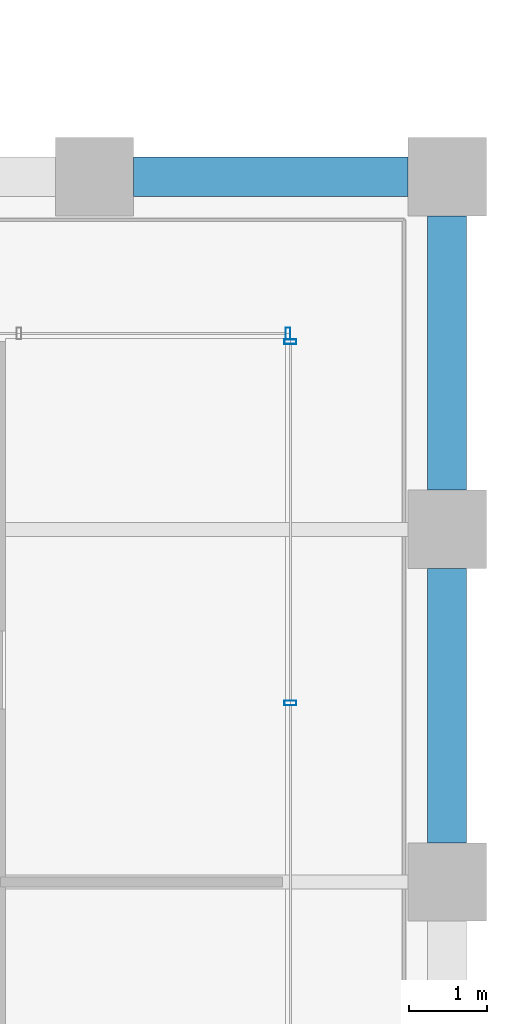
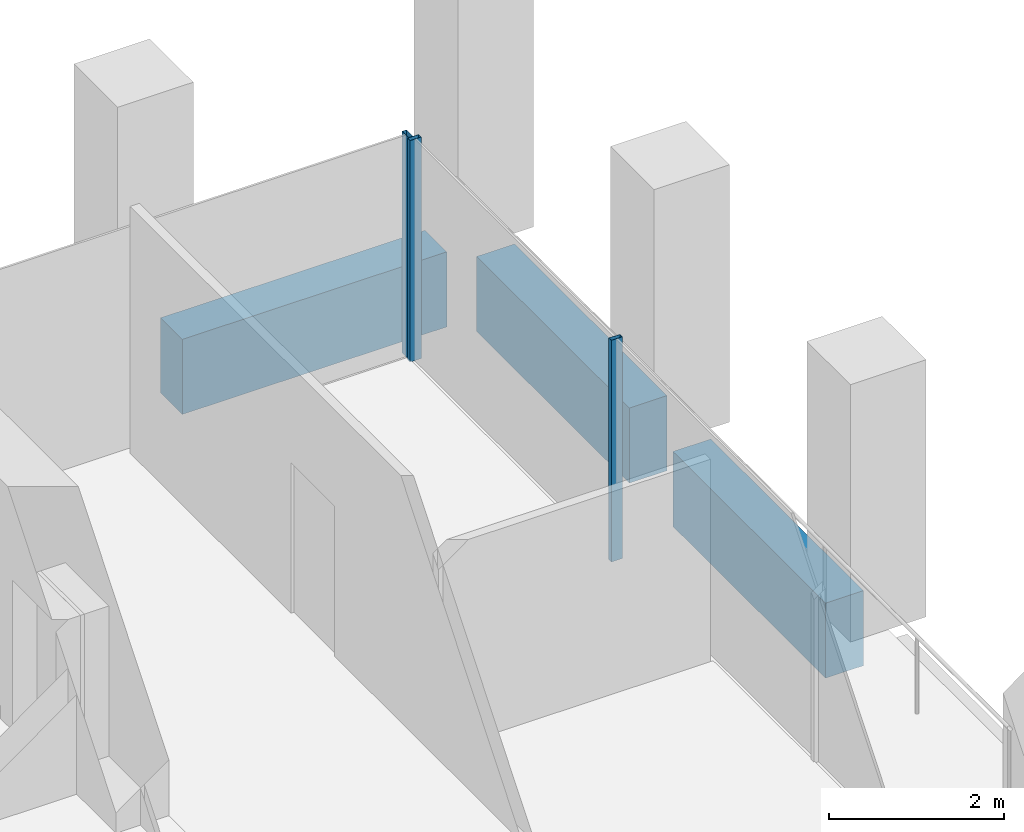
# One storey, part 38 of 46: 3 beams, 3 members, 2 elements without a shape of their own.
"""IFC4 building model written with IfcOpenShell, lengths in metres."""

from ifc_helpers import new_model, si_unit, direction, frame, origin, origin_2d, place, context, subcontext, project, spatial, rectangle, hollow_rectangle, extrude, material, material_profile, profile_set, type_object, element, aggregate, save


model = new_model("IFC4")

# Units and contexts
model_context = context("Model", 3, precision=1e-05, world=origin(), true_north=direction((0.0, 1.0)))
body_context = subcontext(model_context, "Body", "Model", "MODEL_VIEW")
ifc_project = project(units=[si_unit("LENGTHUNIT", "METRE"), si_unit("AREAUNIT", "SQUARE_METRE"), si_unit("VOLUMEUNIT", "CUBIC_METRE"), si_unit("PLANEANGLEUNIT", "RADIAN"), si_unit("MASSUNIT", "GRAM", prefix="KILO")], contexts=[model_context])

# Site, building, storey
site_placement = place(None, origin())
site = spatial("IfcSite", under=ifc_project, at=site_placement, CompositionType="ELEMENT")
building_placement = place(site_placement, origin())
building = spatial("IfcBuilding", under=site, at=building_placement, Name="Altepetl Exchange Towers", CompositionType="ELEMENT")
storey_placement = place(building_placement, frame((0.0, 0.0, 128.0)))
storey = spatial("IfcBuildingStorey", under=building, at=storey_placement, Name="L31", CompositionType="ELEMENT", Elevation=128.0)

# Curtain wall, members
ifc_material_1 = material(Name="Aluminium 6063-T6 glazing", Category="aluminium")
curtain_wall_type = type_object("IfcCurtainWallType", Name="Loggia glazing system", PredefinedType="NOTDEFINED", material=ifc_material_1)
curtain_wall_1_placement = place(storey_placement, origin())
curtain_wall_1 = element("IfcCurtainWall", 1, at=curtain_wall_1_placement, inside=storey, type_object=curtain_wall_type, Name="CW1 run", PredefinedType="NOTDEFINED")
ifc_material_2 = material(Name="Aluminium 6063-T6", Category="aluminium")
ifc_material_profile_1 = material_profile(ifc_material_2, hollow_rectangle(XDim=0.06005859375, YDim=0.14990234375, WallThickness=0.0029296875, at=origin_2d()), Name="Mullion 60x150 aluminium")
ifc_profile_set_1 = profile_set([ifc_material_profile_1], Name="Aluminium 6063-T6")
member_type = type_object("IfcMemberType", Name="Mullion 60x150 aluminium", PredefinedType="MULLION", material=ifc_profile_set_1)
member_1_placement = place(storey_placement, frame((124.0, 42.783447265625, 0.0), z_axis=(0.0, 0.0, 1.0), x_axis=(0.0, 1.0, 0.0)))
member_1 = element("IfcMember", 2, at=member_1_placement, type_object=member_type, Name="MU1 mullion", PredefinedType="MULLION", context=body_context, shape_type="SweptSolid", body=[
    extrude(hollow_rectangle(XDim=0.06005859375, YDim=0.14990234375, WallThickness=0.0029296875, at=origin_2d()), origin(), (0.0, 0.0, 1.0), 3.10009765625),
])
member_2_placement = place(storey_placement, frame((124.0, 47.39501953125, 0.0), z_axis=(0.0, 0.0, 1.0), x_axis=(0.0, 1.0, 0.0)))
member_2 = element("IfcMember", 3, at=member_2_placement, type_object=member_type, Name="MU1 mullion", PredefinedType="MULLION", context=body_context, shape_type="SweptSolid", body=[
    extrude(hollow_rectangle(XDim=0.06005859375, YDim=0.14990234375, WallThickness=0.0029296875, at=origin_2d()), origin(), (0.0, 0.0, 1.0), 3.10009765625),
])
aggregate(curtain_wall_1, [member_1, member_2])

# Curtain wall, member
curtain_wall_2_placement = place(storey_placement, origin())
curtain_wall_2 = element("IfcCurtainWall", 4, at=curtain_wall_2_placement, inside=storey, type_object=curtain_wall_type, Name="CW1 run", PredefinedType="NOTDEFINED")
member_3_placement = place(storey_placement, frame((123.969970703125, 47.5, 0.0), z_axis=(0.0, 0.0, 1.0), x_axis=(-1.0, 0.0, 0.0)))
member_3 = element("IfcMember", 5, at=member_3_placement, type_object=member_type, Name="MU1 mullion", PredefinedType="MULLION", context=body_context, shape_type="SweptSolid", body=[
    extrude(hollow_rectangle(XDim=0.06005859375, YDim=0.14990234375, WallThickness=0.0029296875, at=origin_2d()), origin(), (0.0, 0.0, 1.0), 3.10009765625),
])
aggregate(curtain_wall_2, [member_3])

# Beams
ifc_material_3 = material(Name="Concrete C50/60 precast with cantera amarilla facing", Category="concrete")
ifc_material_profile_2 = material_profile(ifc_material_3, rectangle(XDim=0.5, YDim=1.050048828125, at=origin_2d()), Name="500 x 1050")
ifc_profile_set_2 = profile_set([ifc_material_profile_2], Name="Concrete C50/60 precast with cantera amarilla facing")
beam_type_1 = type_object("IfcBeamType", Name="Spandrel beam 500x1050 cantera amarilla", PredefinedType="SPANDREL", material=ifc_profile_set_2)
beam_placement = place(storey_placement, frame((125.5, 49.5, -0.675048828125), z_axis=(-1.0, 0.0, 0.0), x_axis=(0.0, -1.0, 0.0)))
element("IfcBeam", 6, at=beam_placement, inside=storey, type_object=beam_type_1, Name="sp:B:L31:013", PredefinedType="SPANDREL", context=body_context, shape_type="SweptSolid", body=[
    extrude(rectangle(XDim=0.5, YDim=1.050048828125, at=origin_2d()), origin(), (0.0, 0.0, 1.0), 3.5),
])
ifc_material_4 = material(Name="Concrete C50/60 precast with cantera blanca facing", Category="concrete")
ifc_material_profile_3 = material_profile(ifc_material_4, rectangle(XDim=0.5, YDim=1.050048828125, at=origin_2d()), Name="500 x 1050")
ifc_profile_set_3 = profile_set([ifc_material_profile_3], Name="Concrete C50/60 precast with cantera blanca facing")
beam_type_2 = type_object("IfcBeamType", Name="Spandrel beam 500x1050 cantera blanca", PredefinedType="SPANDREL", material=ifc_profile_set_3)
for number, where, z_axis, x_axis, name in (
    (7, (126.0, 41.0, -0.675048828125), (0.0, 1.0, 0.0), (-1.0, 0.0, 0.0), "sp:B:L31:011"),
    (8, (126.0, 45.5, -0.675048828125), (0.0, 1.0, 0.0), (-1.0, 0.0, 0.0), "sp:B:L31:012"),
):
    element("IfcBeam", number, at=place(storey_placement, frame(where, z_axis=z_axis, x_axis=x_axis)), inside=storey, type_object=beam_type_2, Name=name, PredefinedType="SPANDREL", context=body_context, shape_type="SweptSolid", body=[
        extrude(rectangle(XDim=0.5, YDim=1.050048828125, at=origin_2d()), origin(), (0.0, 0.0, 1.0), 3.5),
    ])

save(model, "model.ifc")
